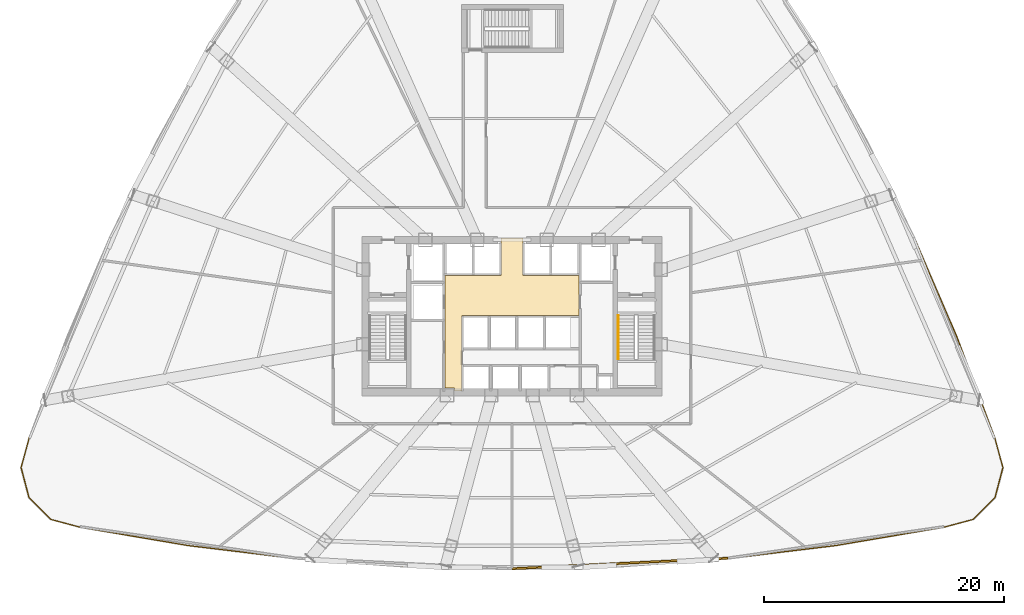
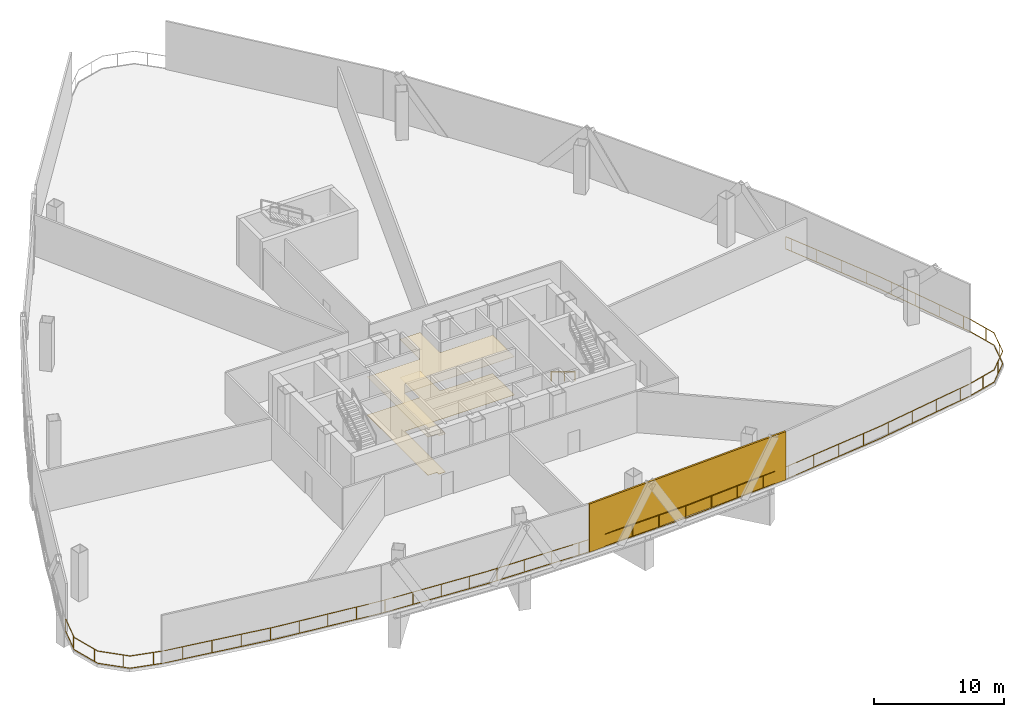
# One storey, part 11 of 15: 2 coverings, 2 railings, 1 shading device.
"""IFC4 building model written with IfcOpenShell, lengths in metres."""

from ifc_helpers import new_model, si_unit, direction, frame, origin, origin_2d, place, context, subcontext, project, spatial, polyline, rectangle, outline, extrude, source, transform, mapped, material, layer, layer_set, type_object, element, save


model = new_model("IFC4")

# Units and contexts
model_context = context("Model", 3, precision=1e-05, world=origin(), true_north=direction((0.0, 1.0)))
body_context = subcontext(model_context, "Body", "Model", "MODEL_VIEW")
ifc_project = project(units=[si_unit("LENGTHUNIT", "METRE"), si_unit("AREAUNIT", "SQUARE_METRE"), si_unit("VOLUMEUNIT", "CUBIC_METRE"), si_unit("PLANEANGLEUNIT", "RADIAN"), si_unit("MASSUNIT", "GRAM", prefix="KILO"), si_unit("THERMODYNAMICTEMPERATUREUNIT", "KELVIN"), si_unit("POWERUNIT", "WATT")], contexts=[model_context])

# Site, building, storey
site_placement = place(None, origin())
site = spatial("IfcSite", under=ifc_project, at=site_placement, CompositionType="ELEMENT")
building_placement = place(site_placement, origin())
building = spatial("IfcBuilding", under=site, at=building_placement, Name="Yunzhuo Pagoda Commons", CompositionType="ELEMENT")
storey_placement = place(building_placement, frame((0.0, 0.0, 125.030029296875)))
storey = spatial("IfcBuildingStorey", under=building, at=storey_placement, Name="L31", CompositionType="ELEMENT", Elevation=125.030029296875)

# Coverings
ifc_material_1 = material(Name="Perforated gypsum acoustic ceiling tile")
ifc_layer_1 = layer(ifc_material_1, 0.030029296875)
ifc_layer_set_1 = layer_set([ifc_layer_1], Name="Perforated gypsum acoustic ceiling tile")
covering_type_1 = type_object("IfcCoveringType", Name="COV-CL2 Ceiling 30", PredefinedType="CEILING", material=ifc_layer_set_1)
covering_1_placement = place(storey_placement, frame((0.0, 0.0, 3.590087890625)))
element("IfcCovering", 1, at=covering_1_placement, inside=storey, type_object=covering_type_1, Name="L31 lift lobby acoustic ceiling", PredefinedType="CEILING", context=body_context, shape_type="SweptSolid", body=[
    extrude(outline(polyline([(43.207763671875, 27.85009765625), (43.201904296875, 27.864013671875), (43.187744140625, 27.8701171875), (42.39990234375, 27.8701171875), (42.39990234375, 33.89990234375), (42.39990234375, 37.25), (47.10009765625, 37.25), (47.10009765625, 40.35009765625), (48.89990234375, 40.35009765625), (48.89990234375, 37.25), (53.580078125, 37.25), (53.580078125, 33.89990234375), (43.820068359375, 33.89990234375), (43.820068359375, 27.60009765625), (43.207763671875, 27.60009765625), (43.207763671875, 27.85009765625)])), origin(), (0.0, 0.0, 1.0), 0.02978515625),
])
ifc_material_2 = material(Name="Porcelain ceramic floor tile")
ifc_layer_2 = layer(ifc_material_2, 0.02001953125)
ifc_layer_set_2 = layer_set([ifc_layer_2], Name="Porcelain ceramic floor tile")
covering_type_2 = type_object("IfcCoveringType", Name="COV-FL1 Flooring 20", PredefinedType="FLOORING", material=ifc_layer_set_2)
covering_2_placement = place(storey_placement, origin())
element("IfcCovering", 2, at=covering_2_placement, inside=storey, type_object=covering_type_2, Name="L31 lift lobby flooring", PredefinedType="FLOORING", context=body_context, shape_type="SweptSolid", body=[
    extrude(outline(polyline([(43.207763671875, 27.85009765625), (43.201904296875, 27.864013671875), (43.187744140625, 27.8701171875), (42.39990234375, 27.8701171875), (42.39990234375, 33.89990234375), (42.39990234375, 37.25), (47.10009765625, 37.25), (47.10009765625, 40.35009765625), (48.89990234375, 40.35009765625), (48.89990234375, 37.25), (53.580078125, 37.25), (53.580078125, 33.89990234375), (43.820068359375, 33.89990234375), (43.820068359375, 27.60009765625), (43.207763671875, 27.60009765625), (43.207763671875, 27.85009765625)])), origin(), (0.0, 0.0, 1.0), 0.02001953125),
])

# Railings
ifc_material_3 = material(Name="Anodized aluminium 6063-T6", Category="aluminium")
railing_type_1 = type_object("IfcRailingType", Name="HR-ST2 Stair Handrail 900", PredefinedType="HANDRAIL", material=ifc_material_3)
railing_1_placement = place(storey_placement, frame((56.85009765625, 33.89990234375, 0.17138671875)))
element("IfcRailing", 3, at=railing_1_placement, inside=storey, type_object=railing_type_1, Name="L31 ST2 stair handrail 1", PredefinedType="HANDRAIL", context=body_context, shape_type="SweptSolid", body=[
    extrude(rectangle(XDim=0.048095703125, YDim=0.048095703125, at=origin_2d()), frame((0.0, 0.0, 0.8759765625), z_axis=(0.0, -0.852850264322, 0.5221555579), x_axis=(1.0, 0.0, 0.0)), (0.0, 0.0, 1.0), 4.267822265625),
    extrude(rectangle(XDim=0.0419921875, YDim=0.0419921875, at=origin_2d()), origin(), (0.0, 0.0, 1.0), 0.851806640625),
    extrude(rectangle(XDim=0.0419921875, YDim=0.0419921875, at=origin_2d()), frame((0.0, -2.046875, 1.253173828125)), (0.0, 0.0, 1.0), 0.851806640625),
    extrude(rectangle(XDim=0.0419921875, YDim=0.0419921875, at=origin_2d()), frame((0.0, -3.639892578125, 2.228515625)), (0.0, 0.0, 1.0), 0.851806640625),
])
railing_type_2 = type_object("IfcRailingType", Name="RL-PRT1 Wind Portal & Refuge Guardrail 1200", PredefinedType="GUARDRAIL", material=ifc_material_3)
railing_2_placement = place(storey_placement, frame((7.77783203125, 23.721923828125, 0.0)))
element("IfcRailing", 4, at=railing_2_placement, inside=storey, type_object=railing_type_2, Name="L31 refuge perimeter guardrail A", PredefinedType="GUARDRAIL", context=body_context, shape_type="SweptSolid", body=[
    extrude(rectangle(XDim=0.048095703125, YDim=0.048095703125, at=origin_2d()), frame((0.0, 0.0, 1.17578125), z_axis=(-0.263957866544, -0.964534211259, 0.0), x_axis=(0.964534211259, -0.263957866544, 0.0)), (0.0, 0.0, 1.0), 2.58056640625),
    extrude(rectangle(XDim=0.048095703125, YDim=0.048095703125, at=origin_2d()), frame((0.0, 0.0, 0.02392578125), z_axis=(-0.263957866544, -0.964534211259, 0.0), x_axis=(0.964534211259, -0.263957866544, 0.0)), (0.0, 0.0, 1.0), 2.58056640625),
    extrude(rectangle(XDim=0.048095703125, YDim=0.048095703125, at=origin_2d()), frame((-0.68115234375, -2.489013671875, 1.17578125), z_axis=(0.25552303287, -0.966802968382, 0.0), x_axis=(0.966802968382, 0.25552303287, 0.0)), (0.0, 0.0, 1.0), 2.578857421875),
    extrude(rectangle(XDim=0.048095703125, YDim=0.048095703125, at=origin_2d()), frame((-0.68115234375, -2.489013671875, 0.02392578125), z_axis=(0.25552303287, -0.966802968382, 0.0), x_axis=(0.966802968382, 0.25552303287, 0.0)), (0.0, 0.0, 1.0), 2.578857421875),
    extrude(rectangle(XDim=0.048095703125, YDim=0.048095703125, at=origin_2d()), frame((-0.022216796875, -4.982177734375, 1.17578125), z_axis=(0.70615929917, -0.708052995331, 0.0), x_axis=(0.708052995331, 0.70615929917, 0.0)), (0.0, 0.0, 1.0), 2.578369140625),
    extrude(rectangle(XDim=0.048095703125, YDim=0.048095703125, at=origin_2d()), frame((-0.022216796875, -4.982177734375, 0.02392578125), z_axis=(0.70615929917, -0.708052995331, 0.0), x_axis=(0.708052995331, 0.70615929917, 0.0)), (0.0, 0.0, 1.0), 2.578369140625),
    extrude(rectangle(XDim=0.048095703125, YDim=0.048095703125, at=origin_2d()), frame((1.798583984375, -6.807861328125, 1.17578125), z_axis=(0.966068286235, -0.258286790855, 0.0), x_axis=(0.258286790855, 0.966068286235, 0.0)), (0.0, 0.0, 1.0), 2.58056640625),
    extrude(rectangle(XDim=0.048095703125, YDim=0.048095703125, at=origin_2d()), frame((1.798583984375, -6.807861328125, 0.02392578125), z_axis=(0.966068286235, -0.258286790855, 0.0), x_axis=(0.258286790855, 0.966068286235, 0.0)), (0.0, 0.0, 1.0), 2.58056640625),
    extrude(rectangle(XDim=0.048095703125, YDim=0.048095703125, at=origin_2d()), frame((4.29150390625, -7.474365234375, 1.17578125), z_axis=(0.98600337192, -0.166725374683, 0.0), x_axis=(0.166725374683, 0.98600337192, 0.0)), (0.0, 0.0, 1.0), 9.119873046875),
    extrude(rectangle(XDim=0.048095703125, YDim=0.048095703125, at=origin_2d()), frame((4.29150390625, -7.474365234375, 0.02392578125), z_axis=(0.98600337192, -0.166725374683, 0.0), x_axis=(0.166725374683, 0.98600337192, 0.0)), (0.0, 0.0, 1.0), 9.119873046875),
    extrude(rectangle(XDim=0.048095703125, YDim=0.048095703125, at=origin_2d()), frame((13.28369140625, -8.994873046875, 1.17578125), z_axis=(0.992831968854, -0.119518540915, 0.0), x_axis=(0.119518540915, 0.992831968854, 0.0)), (0.0, 0.0, 1.0), 9.05126953125),
    extrude(rectangle(XDim=0.048095703125, YDim=0.048095703125, at=origin_2d()), frame((13.28369140625, -8.994873046875, 0.02392578125), z_axis=(0.992831968854, -0.119518540915, 0.0), x_axis=(0.119518540915, 0.992831968854, 0.0)), (0.0, 0.0, 1.0), 9.05126953125),
    extrude(rectangle(XDim=0.048095703125, YDim=0.048095703125, at=origin_2d()), frame((22.27001953125, -10.07666015625, 1.17578125), z_axis=(0.997421949105, -0.071759706274, 0.0), x_axis=(0.071759706274, 0.997421949105, 0.0)), (0.0, 0.0, 1.0), 9.002197265625),
    extrude(rectangle(XDim=0.048095703125, YDim=0.048095703125, at=origin_2d()), frame((22.27001953125, -10.07666015625, 0.02392578125), z_axis=(0.997421949105, -0.071759706274, 0.0), x_axis=(0.071759706274, 0.997421949105, 0.0)), (0.0, 0.0, 1.0), 9.002197265625),
    extrude(rectangle(XDim=0.048095703125, YDim=0.048095703125, at=origin_2d()), frame((31.2490234375, -10.72265625, 1.17578125), z_axis=(0.999714790501, -0.023881743104, 0.0), x_axis=(0.023881743104, 0.999714790501, 0.0)), (0.0, 0.0, 1.0), 8.9755859375),
    extrude(rectangle(XDim=0.048095703125, YDim=0.048095703125, at=origin_2d()), frame((31.2490234375, -10.72265625, 0.02392578125), z_axis=(0.999714790501, -0.023881743104, 0.0), x_axis=(0.023881743104, 0.999714790501, 0.0)), (0.0, 0.0, 1.0), 8.9755859375),
    extrude(rectangle(XDim=0.048095703125, YDim=0.048095703125, at=origin_2d()), frame((40.22216796875, -10.93701171875, 1.17578125), z_axis=(0.999714790501, 0.023881743104, 0.0), x_axis=(-0.023881743104, 0.999714790501, 0.0)), (0.0, 0.0, 1.0), 8.9755859375),
    extrude(rectangle(XDim=0.048095703125, YDim=0.048095703125, at=origin_2d()), frame((40.22216796875, -10.93701171875, 0.02392578125), z_axis=(0.999714790501, 0.023881743104, 0.0), x_axis=(-0.023881743104, 0.999714790501, 0.0)), (0.0, 0.0, 1.0), 8.9755859375),
    extrude(rectangle(XDim=0.048095703125, YDim=0.048095703125, at=origin_2d()), frame((49.1953125, -10.72265625, 1.17578125), z_axis=(0.997422088752, 0.071757765215, 0.0), x_axis=(-0.071757765215, 0.997422088752, 0.0)), (0.0, 0.0, 1.0), 9.00244140625),
    extrude(rectangle(XDim=0.048095703125, YDim=0.048095703125, at=origin_2d()), frame((49.1953125, -10.72265625, 0.02392578125), z_axis=(0.997422088752, 0.071757765215, 0.0), x_axis=(-0.071757765215, 0.997422088752, 0.0)), (0.0, 0.0, 1.0), 9.00244140625),
    extrude(rectangle(XDim=0.048095703125, YDim=0.048095703125, at=origin_2d()), frame((58.174560546875, -10.07666015625, 1.17578125), z_axis=(0.992831583534, 0.119521741697, 0.0), x_axis=(-0.119521741697, 0.992831583534, 0.0)), (0.0, 0.0, 1.0), 9.051025390625),
    extrude(rectangle(XDim=0.048095703125, YDim=0.048095703125, at=origin_2d()), frame((58.174560546875, -10.07666015625, 0.02392578125), z_axis=(0.992831583534, 0.119521741697, 0.0), x_axis=(-0.119521741697, 0.992831583534, 0.0)), (0.0, 0.0, 1.0), 9.051025390625),
    extrude(rectangle(XDim=0.048095703125, YDim=0.048095703125, at=origin_2d()), frame((67.16064453125, -8.994873046875, 1.17578125), z_axis=(0.98600337192, 0.166725374683, 0.0), x_axis=(-0.166725374683, 0.98600337192, 0.0)), (0.0, 0.0, 1.0), 9.119873046875),
    extrude(rectangle(XDim=0.048095703125, YDim=0.048095703125, at=origin_2d()), frame((67.16064453125, -8.994873046875, 0.02392578125), z_axis=(0.98600337192, 0.166725374683, 0.0), x_axis=(-0.166725374683, 0.98600337192, 0.0)), (0.0, 0.0, 1.0), 9.119873046875),
    extrude(rectangle(XDim=0.048095703125, YDim=0.048095703125, at=origin_2d()), frame((76.15283203125, -7.474365234375, 1.17578125), z_axis=(0.966068286235, 0.258286790855, 0.0), x_axis=(-0.258286790855, 0.966068286235, 0.0)), (0.0, 0.0, 1.0), 2.58056640625),
    extrude(rectangle(XDim=0.048095703125, YDim=0.048095703125, at=origin_2d()), frame((76.15283203125, -7.474365234375, 0.02392578125), z_axis=(0.966068286235, 0.258286790855, 0.0), x_axis=(-0.258286790855, 0.966068286235, 0.0)), (0.0, 0.0, 1.0), 2.58056640625),
    extrude(rectangle(XDim=0.048095703125, YDim=0.048095703125, at=origin_2d()), frame((78.645751953125, -6.807861328125, 1.17578125), z_axis=(0.70615929917, 0.708052995331, 0.0), x_axis=(-0.708052995331, 0.70615929917, 0.0)), (0.0, 0.0, 1.0), 2.578369140625),
    extrude(rectangle(XDim=0.048095703125, YDim=0.048095703125, at=origin_2d()), frame((78.645751953125, -6.807861328125, 0.02392578125), z_axis=(0.70615929917, 0.708052995331, 0.0), x_axis=(-0.708052995331, 0.70615929917, 0.0)), (0.0, 0.0, 1.0), 2.578369140625),
    extrude(rectangle(XDim=0.048095703125, YDim=0.048095703125, at=origin_2d()), frame((80.466552734375, -4.982177734375, 1.17578125), z_axis=(0.25552303287, 0.966802968382, 0.0), x_axis=(-0.966802968382, 0.25552303287, 0.0)), (0.0, 0.0, 1.0), 2.578857421875),
    extrude(rectangle(XDim=0.048095703125, YDim=0.048095703125, at=origin_2d()), frame((80.466552734375, -4.982177734375, 0.02392578125), z_axis=(0.25552303287, 0.966802968382, 0.0), x_axis=(-0.966802968382, 0.25552303287, 0.0)), (0.0, 0.0, 1.0), 2.578857421875),
    extrude(rectangle(XDim=0.048095703125, YDim=0.048095703125, at=origin_2d()), frame((81.12548828125, -2.489013671875, 1.17578125), z_axis=(-0.263957866544, 0.964534211259, 0.0), x_axis=(-0.964534211259, -0.263957866544, 0.0)), (0.0, 0.0, 1.0), 2.58056640625),
    extrude(rectangle(XDim=0.048095703125, YDim=0.048095703125, at=origin_2d()), frame((81.12548828125, -2.489013671875, 0.02392578125), z_axis=(-0.263957866544, 0.964534211259, 0.0), x_axis=(-0.964534211259, -0.263957866544, 0.0)), (0.0, 0.0, 1.0), 2.58056640625),
    extrude(rectangle(XDim=0.048095703125, YDim=0.048095703125, at=origin_2d()), frame((80.4443359375, 0.0, 1.17578125), z_axis=(-0.351809443407, 0.93607164017, 0.0), x_axis=(-0.93607164017, -0.351809443407, 0.0)), (0.0, 0.0, 1.0), 9.047119140625),
    extrude(rectangle(XDim=0.048095703125, YDim=0.048095703125, at=origin_2d()), frame((80.4443359375, 0.0, 0.02392578125), z_axis=(-0.351809443407, 0.93607164017, 0.0), x_axis=(-0.93607164017, -0.351809443407, 0.0)), (0.0, 0.0, 1.0), 9.047119140625),
    extrude(rectangle(XDim=0.048095703125, YDim=0.048095703125, at=origin_2d()), frame((77.261474609375, 8.46875, 1.17578125), z_axis=(-0.396376111068, 0.918088219386, 0.0), x_axis=(-0.918088219386, -0.396376111068, 0.0)), (0.0, 0.0, 1.0), 8.977783203125),
    extrude(rectangle(XDim=0.048095703125, YDim=0.048095703125, at=origin_2d()), frame((77.261474609375, 8.46875, 0.02392578125), z_axis=(-0.396376111068, 0.918088219386, 0.0), x_axis=(-0.918088219386, -0.396376111068, 0.0)), (0.0, 0.0, 1.0), 8.977783203125),
    extrude(rectangle(XDim=0.0419921875, YDim=0.0419921875, at=origin_2d()), origin(), (0.0, 0.0, 1.0), 1.15185546875),
    extrude(rectangle(XDim=0.0419921875, YDim=0.0419921875, at=origin_2d()), frame((-0.633544921875, -2.31494140625, 0.0)), (0.0, 0.0, 1.0), 1.15185546875),
    extrude(rectangle(XDim=0.0419921875, YDim=0.0419921875, at=origin_2d()), frame((-0.114013671875, -4.634765625, 0.0)), (0.0, 0.0, 1.0), 1.15185546875),
    extrude(rectangle(XDim=0.0419921875, YDim=0.0419921875, at=origin_2d()), frame((1.4189453125, -6.427001953125, 0.0)), (0.0, 0.0, 1.0), 1.15185546875),
    extrude(rectangle(XDim=0.0419921875, YDim=0.0419921875, at=origin_2d()), frame((3.59765625, -7.288818359375, 0.0)), (0.0, 0.0, 1.0), 1.15185546875),
    extrude(rectangle(XDim=0.0419921875, YDim=0.0419921875, at=origin_2d()), frame((5.94970703125, -7.754638671875, 0.0)), (0.0, 0.0, 1.0), 1.15185546875),
    extrude(rectangle(XDim=0.0419921875, YDim=0.0419921875, at=origin_2d()), frame((8.316162109375, -8.15478515625, 0.0)), (0.0, 0.0, 1.0), 1.15185546875),
    extrude(rectangle(XDim=0.0419921875, YDim=0.0419921875, at=origin_2d()), frame((10.6826171875, -8.554931640625, 0.0)), (0.0, 0.0, 1.0), 1.15185546875),
    extrude(rectangle(XDim=0.0419921875, YDim=0.0419921875, at=origin_2d()), frame((13.048828125, -8.955078125, 0.0)), (0.0, 0.0, 1.0), 1.15185546875),
    extrude(rectangle(XDim=0.0419921875, YDim=0.0419921875, at=origin_2d()), frame((15.43017578125, -9.253173828125, 0.0)), (0.0, 0.0, 1.0), 1.15185546875),
    extrude(rectangle(XDim=0.0419921875, YDim=0.0419921875, at=origin_2d()), frame((17.81298828125, -9.5400390625, 0.0)), (0.0, 0.0, 1.0), 1.15185546875),
    extrude(rectangle(XDim=0.0419921875, YDim=0.0419921875, at=origin_2d()), frame((20.19580078125, -9.826904296875, 0.0)), (0.0, 0.0, 1.0), 1.15185546875),
    extrude(rectangle(XDim=0.0419921875, YDim=0.0419921875, at=origin_2d()), frame((22.579833984375, -10.098876953125, 0.0)), (0.0, 0.0, 1.0), 1.15185546875),
    extrude(rectangle(XDim=0.0419921875, YDim=0.0419921875, at=origin_2d()), frame((24.9736328125, -10.271240234375, 0.0)), (0.0, 0.0, 1.0), 1.15185546875),
    extrude(rectangle(XDim=0.0419921875, YDim=0.0419921875, at=origin_2d()), frame((27.36767578125, -10.443359375, 0.0)), (0.0, 0.0, 1.0), 1.15185546875),
    extrude(rectangle(XDim=0.0419921875, YDim=0.0419921875, at=origin_2d()), frame((29.761474609375, -10.61572265625, 0.0)), (0.0, 0.0, 1.0), 1.15185546875),
    extrude(rectangle(XDim=0.0419921875, YDim=0.0419921875, at=origin_2d()), frame((32.1572265625, -10.744384765625, 0.0)), (0.0, 0.0, 1.0), 1.15185546875),
    extrude(rectangle(XDim=0.0419921875, YDim=0.0419921875, at=origin_2d()), frame((34.556640625, -10.8017578125, 0.0)), (0.0, 0.0, 1.0), 1.15185546875),
    extrude(rectangle(XDim=0.0419921875, YDim=0.0419921875, at=origin_2d()), frame((36.955810546875, -10.85888671875, 0.0)), (0.0, 0.0, 1.0), 1.15185546875),
    extrude(rectangle(XDim=0.0419921875, YDim=0.0419921875, at=origin_2d()), frame((39.355224609375, -10.916259765625, 0.0)), (0.0, 0.0, 1.0), 1.15185546875),
    extrude(rectangle(XDim=0.0419921875, YDim=0.0419921875, at=origin_2d()), frame((41.754638671875, -10.900390625, 0.0)), (0.0, 0.0, 1.0), 1.15185546875),
    extrude(rectangle(XDim=0.0419921875, YDim=0.0419921875, at=origin_2d()), frame((44.15380859375, -10.843017578125, 0.0)), (0.0, 0.0, 1.0), 1.15185546875),
    extrude(rectangle(XDim=0.0419921875, YDim=0.0419921875, at=origin_2d()), frame((46.55322265625, -10.785888671875, 0.0)), (0.0, 0.0, 1.0), 1.15185546875),
    extrude(rectangle(XDim=0.0419921875, YDim=0.0419921875, at=origin_2d()), frame((48.952392578125, -10.728515625, 0.0)), (0.0, 0.0, 1.0), 1.15185546875),
    extrude(rectangle(XDim=0.0419921875, YDim=0.0419921875, at=origin_2d()), frame((51.346923828125, -10.56787109375, 0.0)), (0.0, 0.0, 1.0), 1.15185546875),
    extrude(rectangle(XDim=0.0419921875, YDim=0.0419921875, at=origin_2d()), frame((53.74072265625, -10.395751953125, 0.0)), (0.0, 0.0, 1.0), 1.15185546875),
    extrude(rectangle(XDim=0.0419921875, YDim=0.0419921875, at=origin_2d()), frame((56.134521484375, -10.223388671875, 0.0)), (0.0, 0.0, 1.0), 1.15185546875),
    extrude(rectangle(XDim=0.0419921875, YDim=0.0419921875, at=origin_2d()), frame((58.526611328125, -10.0341796875, 0.0)), (0.0, 0.0, 1.0), 1.15185546875),
    extrude(rectangle(XDim=0.0419921875, YDim=0.0419921875, at=origin_2d()), frame((60.909423828125, -9.747314453125, 0.0)), (0.0, 0.0, 1.0), 1.15185546875),
    extrude(rectangle(XDim=0.0419921875, YDim=0.0419921875, at=origin_2d()), frame((63.292236328125, -9.46044921875, 0.0)), (0.0, 0.0, 1.0), 1.15185546875),
    extrude(rectangle(XDim=0.0419921875, YDim=0.0419921875, at=origin_2d()), frame((65.675048828125, -9.173828125, 0.0)), (0.0, 0.0, 1.0), 1.15185546875),
    extrude(rectangle(XDim=0.0419921875, YDim=0.0419921875, at=origin_2d()), frame((68.0517578125, -8.84423828125, 0.0)), (0.0, 0.0, 1.0), 1.15185546875),
    extrude(rectangle(XDim=0.0419921875, YDim=0.0419921875, at=origin_2d()), frame((70.41796875, -8.444091796875, 0.0)), (0.0, 0.0, 1.0), 1.15185546875),
    extrude(rectangle(XDim=0.0419921875, YDim=0.0419921875, at=origin_2d()), frame((72.784423828125, -8.0439453125, 0.0)), (0.0, 0.0, 1.0), 1.15185546875),
    extrude(rectangle(XDim=0.0419921875, YDim=0.0419921875, at=origin_2d()), frame((75.15087890625, -7.643798828125, 0.0)), (0.0, 0.0, 1.0), 1.15185546875),
    extrude(rectangle(XDim=0.0419921875, YDim=0.0419921875, at=origin_2d()), frame((77.48974609375, -7.116943359375, 0.0)), (0.0, 0.0, 1.0), 1.15185546875),
    extrude(rectangle(XDim=0.0419921875, YDim=0.0419921875, at=origin_2d()), frame((79.49560546875, -5.955810546875, 0.0)), (0.0, 0.0, 1.0), 1.15185546875),
    extrude(rectangle(XDim=0.0419921875, YDim=0.0419921875, at=origin_2d()), frame((80.728515625, -3.9912109375, 0.0)), (0.0, 0.0, 1.0), 1.15185546875),
    extrude(rectangle(XDim=0.0419921875, YDim=0.0419921875, at=origin_2d()), frame((80.902099609375, -1.6728515625, 0.0)), (0.0, 0.0, 1.0), 1.15185546875),
    extrude(rectangle(XDim=0.0419921875, YDim=0.0419921875, at=origin_2d()), frame((80.210205078125, 0.623046875, 0.0)), (0.0, 0.0, 1.0), 1.15185546875),
    extrude(rectangle(XDim=0.0419921875, YDim=0.0419921875, at=origin_2d()), frame((79.36572265625, 2.86962890625, 0.0)), (0.0, 0.0, 1.0), 1.15185546875),
    extrude(rectangle(XDim=0.0419921875, YDim=0.0419921875, at=origin_2d()), frame((78.521484375, 5.1162109375, 0.0)), (0.0, 0.0, 1.0), 1.15185546875),
    extrude(rectangle(XDim=0.0419921875, YDim=0.0419921875, at=origin_2d()), frame((77.67724609375, 7.36279296875, 0.0)), (0.0, 0.0, 1.0), 1.15185546875),
    extrude(rectangle(XDim=0.0419921875, YDim=0.0419921875, at=origin_2d()), frame((76.778564453125, 9.58740234375, 0.0)), (0.0, 0.0, 1.0), 1.15185546875),
    extrude(rectangle(XDim=0.0419921875, YDim=0.0419921875, at=origin_2d()), frame((75.8271484375, 11.790771484375, 0.0)), (0.0, 0.0, 1.0), 1.15185546875),
    extrude(rectangle(XDim=0.0419921875, YDim=0.0419921875, at=origin_2d()), frame((74.8759765625, 13.994140625, 0.0)), (0.0, 0.0, 1.0), 1.15185546875),
    extrude(rectangle(XDim=0.0419921875, YDim=0.0419921875, at=origin_2d()), frame((73.924560546875, 16.19775390625, 0.0)), (0.0, 0.0, 1.0), 1.15185546875),
    extrude(rectangle(XDim=0.0419921875, YDim=0.0419921875, at=origin_2d()), frame((73.702880859375, 16.711181640625, 0.0)), (0.0, 0.0, 1.0), 1.15185546875),
])

# Shading device
ifc_layer_3 = layer(ifc_material_3, 0.159912109375)
ifc_layer_set_3 = layer_set([ifc_layer_3], Name="Anodized aluminium 6063-T6")
shading_device_type = type_object("IfcShadingDeviceType", Name="SH-SCR1 Stormproof Refuge Louvre Screen", PredefinedType="JALOUSIE", material=ifc_layer_set_3)
shared_shape = source(origin(), body_context, "Body", "SweptSolid", [
    extrude(rectangle(XDim=17.9873046875, YDim=0.159912109375, at=origin_2d()), origin(), (0.0, 0.0, 1.0), 4.5400390625),
])
shading_device_placement = place(storey_placement, frame((56.997314453125, 13.242919921875, 0.0), z_axis=(0.0, 0.0, 1.0), x_axis=(0.998818043775, 0.04860571396, 0.0)))
element("IfcShadingDevice", 5, at=shading_device_placement, inside=storey, type_object=shading_device_type, Name="L31 stormproof refuge louvre screen F1.3", PredefinedType="JALOUSIE", context=body_context, shape_type="MappedRepresentation", body=[
    mapped(shared_shape, transform((0.0, 0.0, 0.0), scale=1.0)),
])

save(model, "model.ifc")
